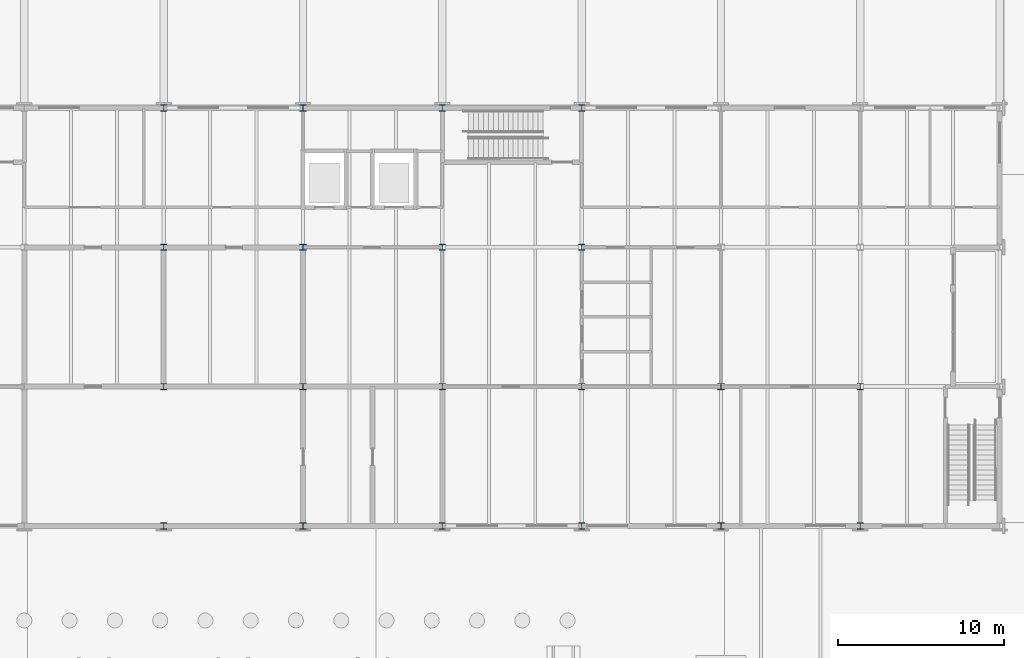
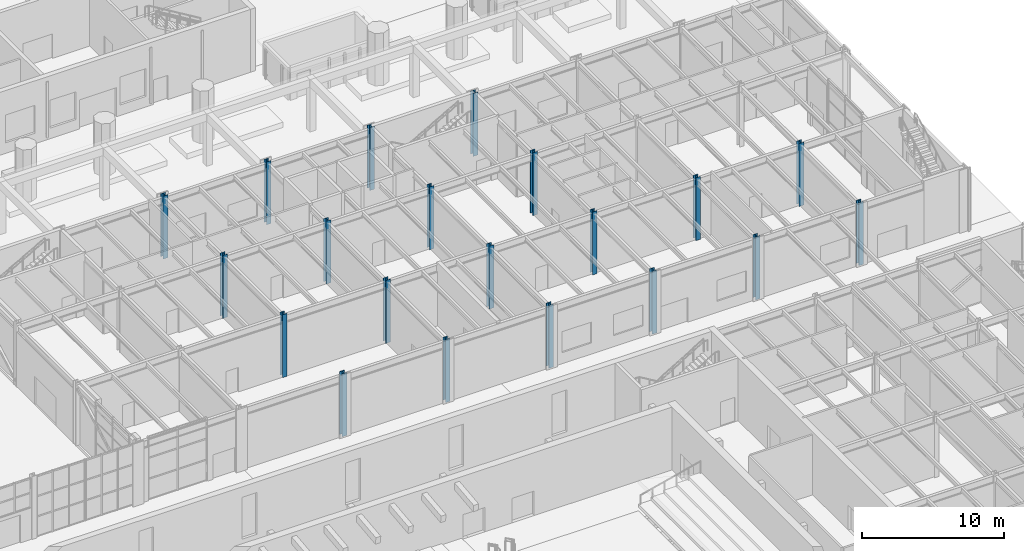
# One storey, part 29 of 127: 20 columns.
"""IFC4 building model written with IfcOpenShell, lengths in metres."""

from ifc_helpers import new_model, si_unit, direction, frame, origin, origin_2d, place, context, subcontext, project, spatial, i_section, extrude, material, material_profile, profile_set, type_object, element, save


model = new_model("IFC4")

# Units and contexts
model_context = context("Model", 3, precision=1e-05, world=origin(), true_north=direction((0.0, 1.0)))
body_context = subcontext(model_context, "Body", "Model", "MODEL_VIEW")
ifc_project = project(units=[si_unit("LENGTHUNIT", "METRE"), si_unit("AREAUNIT", "SQUARE_METRE"), si_unit("VOLUMEUNIT", "CUBIC_METRE"), si_unit("PLANEANGLEUNIT", "RADIAN"), si_unit("MASSUNIT", "GRAM", prefix="KILO")], contexts=[model_context])

# Site, building, storey
site_placement = place(None, origin())
site = spatial("IfcSite", under=ifc_project, at=site_placement, CompositionType="ELEMENT")
building_placement = place(site_placement, origin())
building = spatial("IfcBuilding", under=site, at=building_placement, Name="Ljudholm Concert House", CompositionType="ELEMENT")
storey_placement = place(building_placement, origin())
storey = spatial("IfcBuildingStorey", under=building, at=storey_placement, Name="L00", CompositionType="ELEMENT", Elevation=0.0)

# Columns
ifc_material = material(Name="Steel ASTM A992", Category="steel")
ifc_material_profile = material_profile(ifc_material, i_section(OverallWidth=0.373291015625, OverallDepth=0.373291015625, WebThickness=0.016357421875, FlangeThickness=0.026123046875, FilletRadius=0.01513671875, at=origin_2d()), Name="W14X132")
ifc_profile_set = profile_set([ifc_material_profile], Name="Steel ASTM A992")
column_type = type_object("IfcColumnType", Name="STEEL COLUMN W14X132", PredefinedType="COLUMN", material=ifc_profile_set)
for number, where, z_axis, x_axis, name in (
    (1, (71.199951171875, 104.800048828125, 0.0), (0.0, 0.0, 1.0), (1.0, 0.0, 0.0), "Column STUDIO-L00-col-71.2-104.8"),
    (2, (71.199951171875, 113.199951171875, 0.0), (0.0, 0.0, 1.0), (1.0, 0.0, 0.0), "Column STUDIO-L00-col-71.2-113.2"),
    (3, (71.199951171875, 121.60009765625, 0.0), (0.0, 0.0, 1.0), (1.0, 0.0, 0.0), "Column STUDIO-L00-col-71.2-121.6"),
    (4, (71.199951171875, 130.0, 0.0), (0.0, 0.0, 1.0), (1.0, 0.0, 0.0), "Column STUDIO-L00-col-71.2-130"),
    (5, (79.60009765625, 104.800048828125, 0.0), (0.0, 0.0, 1.0), (1.0, 0.0, 0.0), "Column STUDIO-L00-col-79.6-104.8"),
    (6, (79.60009765625, 113.199951171875, 0.0), (0.0, 0.0, 1.0), (1.0, 0.0, 0.0), "Column STUDIO-L00-col-79.6-113.2"),
    (7, (79.60009765625, 121.60009765625, 0.0), (0.0, 0.0, 1.0), (1.0, 0.0, 0.0), "Column STUDIO-L00-col-79.6-121.6"),
    (8, (79.60009765625, 130.0, 0.0), (0.0, 0.0, 1.0), (1.0, 0.0, 0.0), "Column STUDIO-L00-col-79.6-130"),
    (9, (88.0, 104.800048828125, 0.0), (0.0, 0.0, 1.0), (1.0, 0.0, 0.0), "Column STUDIO-L00-col-88-104.8"),
    (10, (88.0, 113.199951171875, 0.0), (0.0, 0.0, 1.0), (1.0, 0.0, 0.0), "Column STUDIO-L00-col-88-113.2"),
    (11, (88.0, 121.60009765625, 0.0), (0.0, 0.0, 1.0), (1.0, 0.0, 0.0), "Column STUDIO-L00-col-88-121.6"),
    (12, (88.0, 130.0, 0.0), (0.0, 0.0, 1.0), (1.0, 0.0, 0.0), "Column STUDIO-L00-col-88-130"),
    (13, (96.39990234375, 104.800048828125, 0.0), (0.0, 0.0, 1.0), (1.0, 0.0, 0.0), "Column STUDIO-L00-col-96.4-104.8"),
    (14, (96.39990234375, 113.199951171875, 0.0), (0.0, 0.0, 1.0), (1.0, 0.0, 0.0), "Column STUDIO-L00-col-96.4-113.2"),
    (15, (96.39990234375, 121.60009765625, 0.0), (0.0, 0.0, 1.0), (1.0, 0.0, 0.0), "Column STUDIO-L00-col-96.4-121.6"),
    (16, (96.39990234375, 130.0, 0.0), (0.0, 0.0, 1.0), (1.0, 0.0, 0.0), "Column STUDIO-L00-col-96.4-130"),
    (17, (104.800048828125, 104.800048828125, 0.0), (0.0, 0.0, 1.0), (1.0, 0.0, 0.0), "Column STUDIO-L00-col-104.8-104.8"),
    (18, (104.800048828125, 113.199951171875, 0.0), (0.0, 0.0, 1.0), (1.0, 0.0, 0.0), "Column STUDIO-L00-col-104.8-113.2"),
    (19, (113.199951171875, 104.800048828125, 0.0), (0.0, 0.0, 1.0), (1.0, 0.0, 0.0), "Column STUDIO-L00-col-113.2-104.8"),
    (20, (113.199951171875, 113.199951171875, 0.0), (0.0, 0.0, 1.0), (1.0, 0.0, 0.0), "Column STUDIO-L00-col-113.2-113.2"),
):
    element("IfcColumn", number, at=place(storey_placement, frame(where, z_axis=z_axis, x_axis=x_axis)), inside=storey, type_object=column_type, Name=name, PredefinedType="COLUMN", context=body_context, shape_type="SweptSolid", body=[
        extrude(i_section(OverallWidth=0.373291015625, OverallDepth=0.373291015625, WebThickness=0.016357421875, FlangeThickness=0.026123046875, FilletRadius=0.01513671875, at=origin_2d()), origin(), (0.0, 0.0, 1.0), 5.39990234375),
    ])

save(model, "model.ifc")
